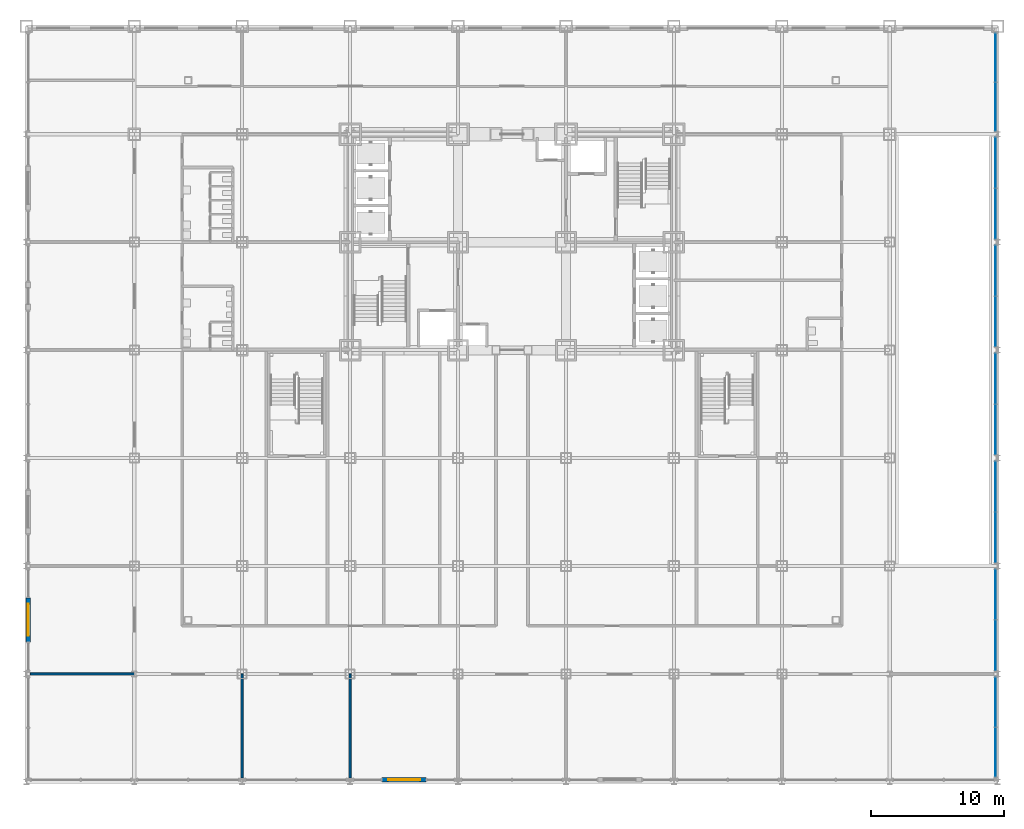
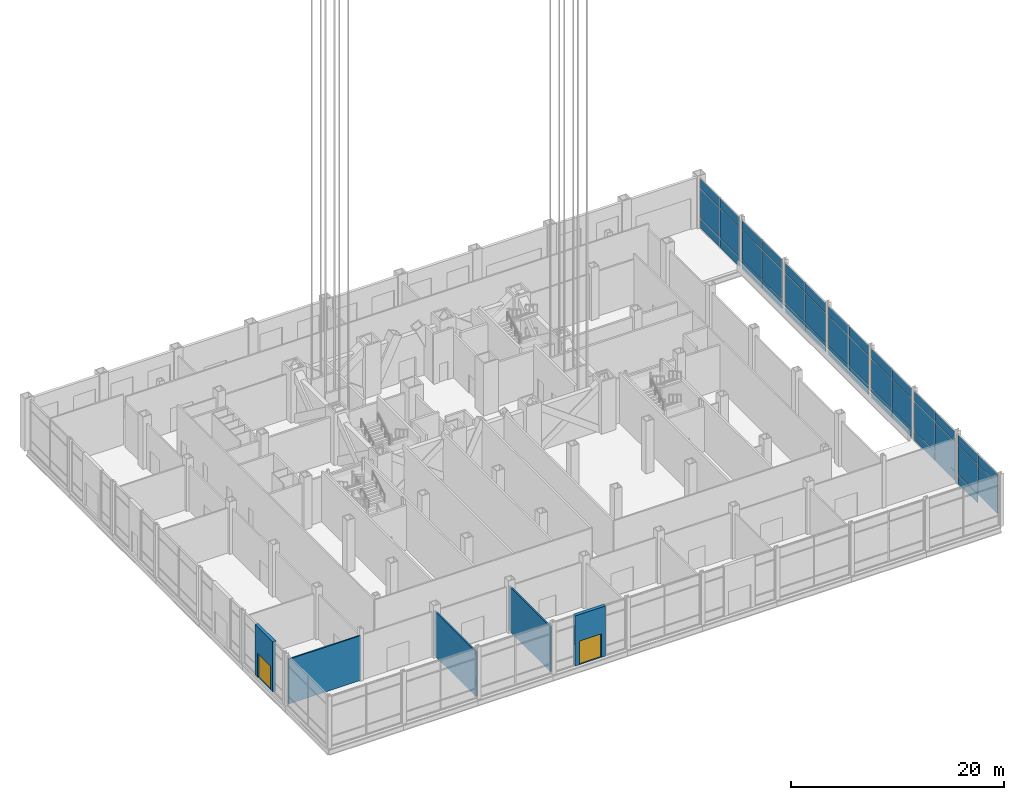
# One storey, part 21 of 35: 41 plates, 5 walls, 2 doors, 2 openings, 7 elements without a shape of their own.
"""IFC4 building model written with IfcOpenShell, lengths in metres."""

from ifc_helpers import new_model, si_unit, direction, frame, frame_2d, origin, origin_2d, place, context, subcontext, project, spatial, rectangle, extrude, material, layer, layer_set, type_object, element, fill, aggregate, save


model = new_model("IFC4")

# Units and contexts
model_context = context("Model", 3, precision=1e-05, world=origin(), true_north=direction((0.0, 1.0)))
body_context = subcontext(model_context, "Body", "Model", "MODEL_VIEW")
ifc_project = project(units=[si_unit("LENGTHUNIT", "METRE"), si_unit("AREAUNIT", "SQUARE_METRE"), si_unit("VOLUMEUNIT", "CUBIC_METRE"), si_unit("PLANEANGLEUNIT", "RADIAN"), si_unit("MASSUNIT", "GRAM", prefix="KILO")], contexts=[model_context])

# Site, building, storey
site_placement = place(None, origin())
site = spatial("IfcSite", under=ifc_project, at=site_placement, CompositionType="ELEMENT")
building_placement = place(site_placement, origin())
building = spatial("IfcBuilding", under=site, at=building_placement, Name="Kopane Lantern Tower", CompositionType="ELEMENT")
storey_placement = place(building_placement, origin())
storey = spatial("IfcBuildingStorey", under=building, at=storey_placement, Name="L00", CompositionType="ELEMENT", Elevation=0.0)

# Curtain wall, plates
ifc_material_1 = material(Name="Aluminium and clear glass", Category="aluminium")
curtain_wall_type = type_object("IfcCurtainWallType", Name="CURTAIN WALL CW1 PODIUM STOREFRONT", PredefinedType="USERDEFINED", material=ifc_material_1)
curtain_wall_1_placement = place(storey_placement, origin())
curtain_wall_1 = element("IfcCurtainWall", 1, at=curtain_wall_1_placement, inside=storey, type_object=curtain_wall_type, Name="Curtain wall CW1 E L00", ObjectType="CURTAIN WALL", PredefinedType="USERDEFINED")
ifc_material_2 = material(Name="Insulated clear glass unit", Category="glass")
ifc_layer_1 = layer(ifc_material_2, 0.031982421875)
ifc_layer_set_1 = layer_set([ifc_layer_1], Name="CURTAIN PANEL CW1-P 32")
plate_type = type_object("IfcPlateType", Name="CURTAIN PANEL CW1-P 32", PredefinedType="CURTAIN_PANEL", material=ifc_layer_set_1)
plate_1_placement = place(storey_placement, frame((64.64990234375, -5.8857421875, 1.13232421875), z_axis=(0.0, 0.0, 1.0), x_axis=(0.0, 1.0, 0.0)))
plate_1 = element("IfcPlate", 2, at=plate_1_placement, type_object=plate_type, Name="CW1 panel 1.2", PredefinedType="CURTAIN_PANEL", context=body_context, shape_type="SweptSolid", body=[
    extrude(rectangle(XDim=3.698486328125, YDim=0.031982421875, at=origin_2d()), origin(), (0.0, 0.0, 1.0), 3.385009765625),
])
plate_2_placement = place(storey_placement, frame((64.64990234375, -5.8857421875, 4.58251953125), z_axis=(0.0, 0.0, 1.0), x_axis=(0.0, 1.0, 0.0)))
plate_2 = element("IfcPlate", 3, at=plate_2_placement, type_object=plate_type, Name="CW1 panel 1.3", PredefinedType="CURTAIN_PANEL", context=body_context, shape_type="SweptSolid", body=[
    extrude(rectangle(XDim=3.698486328125, YDim=0.031982421875, at=origin_2d()), origin(), (0.0, 0.0, 1.0), 1.1025390625),
])
plate_3_placement = place(storey_placement, frame((64.64990234375, -2.122314453125, 0.06494140625), z_axis=(0.0, 0.0, 1.0), x_axis=(0.0, 1.0, 0.0)))
plate_3 = element("IfcPlate", 4, at=plate_3_placement, type_object=plate_type, Name="CW1 panel 2.1", PredefinedType="CURTAIN_PANEL", context=body_context, shape_type="SweptSolid", body=[
    extrude(rectangle(XDim=3.698486328125, YDim=0.031982421875, at=origin_2d()), origin(), (0.0, 0.0, 1.0), 1.00244140625),
])
plate_4_placement = place(storey_placement, frame((64.64990234375, -2.122314453125, 1.13232421875), z_axis=(0.0, 0.0, 1.0), x_axis=(0.0, 1.0, 0.0)))
plate_4 = element("IfcPlate", 5, at=plate_4_placement, type_object=plate_type, Name="CW1 panel 2.2", PredefinedType="CURTAIN_PANEL", context=body_context, shape_type="SweptSolid", body=[
    extrude(rectangle(XDim=3.698486328125, YDim=0.031982421875, at=origin_2d()), origin(), (0.0, 0.0, 1.0), 3.385009765625),
])
plate_5_placement = place(storey_placement, frame((64.64990234375, -2.122314453125, 4.58251953125), z_axis=(0.0, 0.0, 1.0), x_axis=(0.0, 1.0, 0.0)))
plate_5 = element("IfcPlate", 6, at=plate_5_placement, type_object=plate_type, Name="CW1 panel 2.3", PredefinedType="CURTAIN_PANEL", context=body_context, shape_type="SweptSolid", body=[
    extrude(rectangle(XDim=3.698486328125, YDim=0.031982421875, at=origin_2d()), origin(), (0.0, 0.0, 1.0), 1.1025390625),
])
aggregate(curtain_wall_1, [plate_1, plate_2, plate_3, plate_4, plate_5])

curtain_wall_2_placement = place(storey_placement, origin())
curtain_wall_2 = element("IfcCurtainWall", 7, at=curtain_wall_2_placement, inside=storey, type_object=curtain_wall_type, Name="Curtain wall CW1 E L00", ObjectType="CURTAIN WALL", PredefinedType="USERDEFINED")
plate_6_placement = place(storey_placement, frame((64.64990234375, 2.145263671875, 0.06494140625), z_axis=(0.0, 0.0, 1.0), x_axis=(0.0, 1.0, 0.0)))
plate_6 = element("IfcPlate", 8, at=plate_6_placement, type_object=plate_type, Name="CW1 panel 1.1", PredefinedType="CURTAIN_PANEL", context=body_context, shape_type="SweptSolid", body=[
    extrude(rectangle(XDim=3.744384765625, YDim=0.031982421875, at=origin_2d()), origin(), (0.0, 0.0, 1.0), 1.00244140625),
])
plate_7_placement = place(storey_placement, frame((64.64990234375, 2.145263671875, 1.13232421875), z_axis=(0.0, 0.0, 1.0), x_axis=(0.0, 1.0, 0.0)))
plate_7 = element("IfcPlate", 9, at=plate_7_placement, type_object=plate_type, Name="CW1 panel 1.2", PredefinedType="CURTAIN_PANEL", context=body_context, shape_type="SweptSolid", body=[
    extrude(rectangle(XDim=3.744384765625, YDim=0.031982421875, at=origin_2d()), origin(), (0.0, 0.0, 1.0), 3.385009765625),
])
plate_8_placement = place(storey_placement, frame((64.64990234375, 2.145263671875, 4.58251953125), z_axis=(0.0, 0.0, 1.0), x_axis=(0.0, 1.0, 0.0)))
plate_8 = element("IfcPlate", 10, at=plate_8_placement, type_object=plate_type, Name="CW1 panel 1.3", PredefinedType="CURTAIN_PANEL", context=body_context, shape_type="SweptSolid", body=[
    extrude(rectangle(XDim=3.744384765625, YDim=0.031982421875, at=origin_2d()), origin(), (0.0, 0.0, 1.0), 1.1025390625),
])
plate_9_placement = place(storey_placement, frame((64.64990234375, 5.95458984375, 0.06494140625), z_axis=(0.0, 0.0, 1.0), x_axis=(0.0, 1.0, 0.0)))
plate_9 = element("IfcPlate", 11, at=plate_9_placement, type_object=plate_type, Name="CW1 panel 2.1", PredefinedType="CURTAIN_PANEL", context=body_context, shape_type="SweptSolid", body=[
    extrude(rectangle(XDim=3.744384765625, YDim=0.031982421875, at=origin_2d()), origin(), (0.0, 0.0, 1.0), 1.00244140625),
])
plate_10_placement = place(storey_placement, frame((64.64990234375, 5.95458984375, 1.13232421875), z_axis=(0.0, 0.0, 1.0), x_axis=(0.0, 1.0, 0.0)))
plate_10 = element("IfcPlate", 12, at=plate_10_placement, type_object=plate_type, Name="CW1 panel 2.2", PredefinedType="CURTAIN_PANEL", context=body_context, shape_type="SweptSolid", body=[
    extrude(rectangle(XDim=3.744384765625, YDim=0.031982421875, at=origin_2d()), origin(), (0.0, 0.0, 1.0), 3.385009765625),
])
plate_11_placement = place(storey_placement, frame((64.64990234375, 5.95458984375, 4.58251953125), z_axis=(0.0, 0.0, 1.0), x_axis=(0.0, 1.0, 0.0)))
plate_11 = element("IfcPlate", 13, at=plate_11_placement, type_object=plate_type, Name="CW1 panel 2.3", PredefinedType="CURTAIN_PANEL", context=body_context, shape_type="SweptSolid", body=[
    extrude(rectangle(XDim=3.744384765625, YDim=0.031982421875, at=origin_2d()), origin(), (0.0, 0.0, 1.0), 1.1025390625),
])
aggregate(curtain_wall_2, [plate_6, plate_7, plate_8, plate_9, plate_10, plate_11])

curtain_wall_3_placement = place(storey_placement, origin())
curtain_wall_3 = element("IfcCurtainWall", 14, at=curtain_wall_3_placement, inside=storey, type_object=curtain_wall_type, Name="Curtain wall CW1 E L00", ObjectType="CURTAIN WALL", PredefinedType="USERDEFINED")
plate_12_placement = place(storey_placement, frame((64.64990234375, 10.245361328125, 0.06494140625), z_axis=(0.0, 0.0, 1.0), x_axis=(0.0, 1.0, 0.0)))
plate_12 = element("IfcPlate", 15, at=plate_12_placement, type_object=plate_type, Name="CW1 panel 1.1", PredefinedType="CURTAIN_PANEL", context=body_context, shape_type="SweptSolid", body=[
    extrude(rectangle(XDim=3.744384765625, YDim=0.031982421875, at=origin_2d()), origin(), (0.0, 0.0, 1.0), 1.00244140625),
])
plate_13_placement = place(storey_placement, frame((64.64990234375, 10.245361328125, 1.13232421875), z_axis=(0.0, 0.0, 1.0), x_axis=(0.0, 1.0, 0.0)))
plate_13 = element("IfcPlate", 16, at=plate_13_placement, type_object=plate_type, Name="CW1 panel 1.2", PredefinedType="CURTAIN_PANEL", context=body_context, shape_type="SweptSolid", body=[
    extrude(rectangle(XDim=3.744384765625, YDim=0.031982421875, at=origin_2d()), origin(), (0.0, 0.0, 1.0), 3.385009765625),
])
plate_14_placement = place(storey_placement, frame((64.64990234375, 10.245361328125, 4.58251953125), z_axis=(0.0, 0.0, 1.0), x_axis=(0.0, 1.0, 0.0)))
plate_14 = element("IfcPlate", 17, at=plate_14_placement, type_object=plate_type, Name="CW1 panel 1.3", PredefinedType="CURTAIN_PANEL", context=body_context, shape_type="SweptSolid", body=[
    extrude(rectangle(XDim=3.744384765625, YDim=0.031982421875, at=origin_2d()), origin(), (0.0, 0.0, 1.0), 1.1025390625),
])
plate_15_placement = place(storey_placement, frame((64.64990234375, 14.0546875, 0.06494140625), z_axis=(0.0, 0.0, 1.0), x_axis=(0.0, 1.0, 0.0)))
plate_15 = element("IfcPlate", 18, at=plate_15_placement, type_object=plate_type, Name="CW1 panel 2.1", PredefinedType="CURTAIN_PANEL", context=body_context, shape_type="SweptSolid", body=[
    extrude(rectangle(XDim=3.744384765625, YDim=0.031982421875, at=origin_2d()), origin(), (0.0, 0.0, 1.0), 1.00244140625),
])
plate_16_placement = place(storey_placement, frame((64.64990234375, 14.0546875, 1.13232421875), z_axis=(0.0, 0.0, 1.0), x_axis=(0.0, 1.0, 0.0)))
plate_16 = element("IfcPlate", 19, at=plate_16_placement, type_object=plate_type, Name="CW1 panel 2.2", PredefinedType="CURTAIN_PANEL", context=body_context, shape_type="SweptSolid", body=[
    extrude(rectangle(XDim=3.744384765625, YDim=0.031982421875, at=origin_2d()), origin(), (0.0, 0.0, 1.0), 3.385009765625),
])
plate_17_placement = place(storey_placement, frame((64.64990234375, 14.0546875, 4.58251953125), z_axis=(0.0, 0.0, 1.0), x_axis=(0.0, 1.0, 0.0)))
plate_17 = element("IfcPlate", 20, at=plate_17_placement, type_object=plate_type, Name="CW1 panel 2.3", PredefinedType="CURTAIN_PANEL", context=body_context, shape_type="SweptSolid", body=[
    extrude(rectangle(XDim=3.744384765625, YDim=0.031982421875, at=origin_2d()), origin(), (0.0, 0.0, 1.0), 1.1025390625),
])
aggregate(curtain_wall_3, [plate_12, plate_13, plate_14, plate_15, plate_16, plate_17])

curtain_wall_4_placement = place(storey_placement, origin())
curtain_wall_4 = element("IfcCurtainWall", 21, at=curtain_wall_4_placement, inside=storey, type_object=curtain_wall_type, Name="Curtain wall CW1 E L00", ObjectType="CURTAIN WALL", PredefinedType="USERDEFINED")
plate_18_placement = place(storey_placement, frame((64.64990234375, 18.345458984375, 0.06494140625), z_axis=(0.0, 0.0, 1.0), x_axis=(0.0, 1.0, 0.0)))
plate_18 = element("IfcPlate", 22, at=plate_18_placement, type_object=plate_type, Name="CW1 panel 1.1", PredefinedType="CURTAIN_PANEL", context=body_context, shape_type="SweptSolid", body=[
    extrude(rectangle(XDim=3.744384765625, YDim=0.031982421875, at=origin_2d()), origin(), (0.0, 0.0, 1.0), 1.00244140625),
])
plate_19_placement = place(storey_placement, frame((64.64990234375, 18.345458984375, 1.13232421875), z_axis=(0.0, 0.0, 1.0), x_axis=(0.0, 1.0, 0.0)))
plate_19 = element("IfcPlate", 23, at=plate_19_placement, type_object=plate_type, Name="CW1 panel 1.2", PredefinedType="CURTAIN_PANEL", context=body_context, shape_type="SweptSolid", body=[
    extrude(rectangle(XDim=3.744384765625, YDim=0.031982421875, at=origin_2d()), origin(), (0.0, 0.0, 1.0), 3.385009765625),
])
plate_20_placement = place(storey_placement, frame((64.64990234375, 18.345458984375, 4.58251953125), z_axis=(0.0, 0.0, 1.0), x_axis=(0.0, 1.0, 0.0)))
plate_20 = element("IfcPlate", 24, at=plate_20_placement, type_object=plate_type, Name="CW1 panel 1.3", PredefinedType="CURTAIN_PANEL", context=body_context, shape_type="SweptSolid", body=[
    extrude(rectangle(XDim=3.744384765625, YDim=0.031982421875, at=origin_2d()), origin(), (0.0, 0.0, 1.0), 1.1025390625),
])
plate_21_placement = place(storey_placement, frame((64.64990234375, 22.154541015625, 0.06494140625), z_axis=(0.0, 0.0, 1.0), x_axis=(0.0, 1.0, 0.0)))
plate_21 = element("IfcPlate", 25, at=plate_21_placement, type_object=plate_type, Name="CW1 panel 2.1", PredefinedType="CURTAIN_PANEL", context=body_context, shape_type="SweptSolid", body=[
    extrude(rectangle(XDim=3.744384765625, YDim=0.031982421875, at=origin_2d()), origin(), (0.0, 0.0, 1.0), 1.00244140625),
])
plate_22_placement = place(storey_placement, frame((64.64990234375, 22.154541015625, 1.13232421875), z_axis=(0.0, 0.0, 1.0), x_axis=(0.0, 1.0, 0.0)))
plate_22 = element("IfcPlate", 26, at=plate_22_placement, type_object=plate_type, Name="CW1 panel 2.2", PredefinedType="CURTAIN_PANEL", context=body_context, shape_type="SweptSolid", body=[
    extrude(rectangle(XDim=3.744384765625, YDim=0.031982421875, at=origin_2d()), origin(), (0.0, 0.0, 1.0), 3.385009765625),
])
plate_23_placement = place(storey_placement, frame((64.64990234375, 22.154541015625, 4.58251953125), z_axis=(0.0, 0.0, 1.0), x_axis=(0.0, 1.0, 0.0)))
plate_23 = element("IfcPlate", 27, at=plate_23_placement, type_object=plate_type, Name="CW1 panel 2.3", PredefinedType="CURTAIN_PANEL", context=body_context, shape_type="SweptSolid", body=[
    extrude(rectangle(XDim=3.744384765625, YDim=0.031982421875, at=origin_2d()), origin(), (0.0, 0.0, 1.0), 1.1025390625),
])
aggregate(curtain_wall_4, [plate_18, plate_19, plate_20, plate_21, plate_22, plate_23])

curtain_wall_5_placement = place(storey_placement, origin())
curtain_wall_5 = element("IfcCurtainWall", 28, at=curtain_wall_5_placement, inside=storey, type_object=curtain_wall_type, Name="Curtain wall CW1 E L00", ObjectType="CURTAIN WALL", PredefinedType="USERDEFINED")
plate_24_placement = place(storey_placement, frame((64.64990234375, 26.4453125, 0.06494140625), z_axis=(0.0, 0.0, 1.0), x_axis=(0.0, 1.0, 0.0)))
plate_24 = element("IfcPlate", 29, at=plate_24_placement, type_object=plate_type, Name="CW1 panel 1.1", PredefinedType="CURTAIN_PANEL", context=body_context, shape_type="SweptSolid", body=[
    extrude(rectangle(XDim=3.744384765625, YDim=0.031982421875, at=origin_2d()), origin(), (0.0, 0.0, 1.0), 1.00244140625),
])
plate_25_placement = place(storey_placement, frame((64.64990234375, 26.4453125, 1.13232421875), z_axis=(0.0, 0.0, 1.0), x_axis=(0.0, 1.0, 0.0)))
plate_25 = element("IfcPlate", 30, at=plate_25_placement, type_object=plate_type, Name="CW1 panel 1.2", PredefinedType="CURTAIN_PANEL", context=body_context, shape_type="SweptSolid", body=[
    extrude(rectangle(XDim=3.744384765625, YDim=0.031982421875, at=origin_2d()), origin(), (0.0, 0.0, 1.0), 3.385009765625),
])
plate_26_placement = place(storey_placement, frame((64.64990234375, 26.4453125, 4.58251953125), z_axis=(0.0, 0.0, 1.0), x_axis=(0.0, 1.0, 0.0)))
plate_26 = element("IfcPlate", 31, at=plate_26_placement, type_object=plate_type, Name="CW1 panel 1.3", PredefinedType="CURTAIN_PANEL", context=body_context, shape_type="SweptSolid", body=[
    extrude(rectangle(XDim=3.744384765625, YDim=0.031982421875, at=origin_2d()), origin(), (0.0, 0.0, 1.0), 1.1025390625),
])
plate_27_placement = place(storey_placement, frame((64.64990234375, 30.254638671875, 0.06494140625), z_axis=(0.0, 0.0, 1.0), x_axis=(0.0, 1.0, 0.0)))
plate_27 = element("IfcPlate", 32, at=plate_27_placement, type_object=plate_type, Name="CW1 panel 2.1", PredefinedType="CURTAIN_PANEL", context=body_context, shape_type="SweptSolid", body=[
    extrude(rectangle(XDim=3.744384765625, YDim=0.031982421875, at=origin_2d()), origin(), (0.0, 0.0, 1.0), 1.00244140625),
])
plate_28_placement = place(storey_placement, frame((64.64990234375, 30.254638671875, 1.13232421875), z_axis=(0.0, 0.0, 1.0), x_axis=(0.0, 1.0, 0.0)))
plate_28 = element("IfcPlate", 33, at=plate_28_placement, type_object=plate_type, Name="CW1 panel 2.2", PredefinedType="CURTAIN_PANEL", context=body_context, shape_type="SweptSolid", body=[
    extrude(rectangle(XDim=3.744384765625, YDim=0.031982421875, at=origin_2d()), origin(), (0.0, 0.0, 1.0), 3.385009765625),
])
plate_29_placement = place(storey_placement, frame((64.64990234375, 30.254638671875, 4.58251953125), z_axis=(0.0, 0.0, 1.0), x_axis=(0.0, 1.0, 0.0)))
plate_29 = element("IfcPlate", 34, at=plate_29_placement, type_object=plate_type, Name="CW1 panel 2.3", PredefinedType="CURTAIN_PANEL", context=body_context, shape_type="SweptSolid", body=[
    extrude(rectangle(XDim=3.744384765625, YDim=0.031982421875, at=origin_2d()), origin(), (0.0, 0.0, 1.0), 1.1025390625),
])
aggregate(curtain_wall_5, [plate_24, plate_25, plate_26, plate_27, plate_28, plate_29])

curtain_wall_6_placement = place(storey_placement, origin())
curtain_wall_6 = element("IfcCurtainWall", 35, at=curtain_wall_6_placement, inside=storey, type_object=curtain_wall_type, Name="Curtain wall CW1 E L00", ObjectType="CURTAIN WALL", PredefinedType="USERDEFINED")
plate_30_placement = place(storey_placement, frame((64.64990234375, 34.54541015625, 0.06494140625), z_axis=(0.0, 0.0, 1.0), x_axis=(0.0, 1.0, 0.0)))
plate_30 = element("IfcPlate", 36, at=plate_30_placement, type_object=plate_type, Name="CW1 panel 1.1", PredefinedType="CURTAIN_PANEL", context=body_context, shape_type="SweptSolid", body=[
    extrude(rectangle(XDim=3.744384765625, YDim=0.031982421875, at=origin_2d()), origin(), (0.0, 0.0, 1.0), 1.00244140625),
])
plate_31_placement = place(storey_placement, frame((64.64990234375, 34.54541015625, 1.13232421875), z_axis=(0.0, 0.0, 1.0), x_axis=(0.0, 1.0, 0.0)))
plate_31 = element("IfcPlate", 37, at=plate_31_placement, type_object=plate_type, Name="CW1 panel 1.2", PredefinedType="CURTAIN_PANEL", context=body_context, shape_type="SweptSolid", body=[
    extrude(rectangle(XDim=3.744384765625, YDim=0.031982421875, at=origin_2d()), origin(), (0.0, 0.0, 1.0), 3.385009765625),
])
plate_32_placement = place(storey_placement, frame((64.64990234375, 34.54541015625, 4.58251953125), z_axis=(0.0, 0.0, 1.0), x_axis=(0.0, 1.0, 0.0)))
plate_32 = element("IfcPlate", 38, at=plate_32_placement, type_object=plate_type, Name="CW1 panel 1.3", PredefinedType="CURTAIN_PANEL", context=body_context, shape_type="SweptSolid", body=[
    extrude(rectangle(XDim=3.744384765625, YDim=0.031982421875, at=origin_2d()), origin(), (0.0, 0.0, 1.0), 1.1025390625),
])
plate_33_placement = place(storey_placement, frame((64.64990234375, 38.354736328125, 0.06494140625), z_axis=(0.0, 0.0, 1.0), x_axis=(0.0, 1.0, 0.0)))
plate_33 = element("IfcPlate", 39, at=plate_33_placement, type_object=plate_type, Name="CW1 panel 2.1", PredefinedType="CURTAIN_PANEL", context=body_context, shape_type="SweptSolid", body=[
    extrude(rectangle(XDim=3.744384765625, YDim=0.031982421875, at=origin_2d()), origin(), (0.0, 0.0, 1.0), 1.00244140625),
])
plate_34_placement = place(storey_placement, frame((64.64990234375, 38.354736328125, 1.13232421875), z_axis=(0.0, 0.0, 1.0), x_axis=(0.0, 1.0, 0.0)))
plate_34 = element("IfcPlate", 40, at=plate_34_placement, type_object=plate_type, Name="CW1 panel 2.2", PredefinedType="CURTAIN_PANEL", context=body_context, shape_type="SweptSolid", body=[
    extrude(rectangle(XDim=3.744384765625, YDim=0.031982421875, at=origin_2d()), origin(), (0.0, 0.0, 1.0), 3.385009765625),
])
plate_35_placement = place(storey_placement, frame((64.64990234375, 38.354736328125, 4.58251953125), z_axis=(0.0, 0.0, 1.0), x_axis=(0.0, 1.0, 0.0)))
plate_35 = element("IfcPlate", 41, at=plate_35_placement, type_object=plate_type, Name="CW1 panel 2.3", PredefinedType="CURTAIN_PANEL", context=body_context, shape_type="SweptSolid", body=[
    extrude(rectangle(XDim=3.744384765625, YDim=0.031982421875, at=origin_2d()), origin(), (0.0, 0.0, 1.0), 1.1025390625),
])
aggregate(curtain_wall_6, [plate_30, plate_31, plate_32, plate_33, plate_34, plate_35])

curtain_wall_7_placement = place(storey_placement, origin())
curtain_wall_7 = element("IfcCurtainWall", 42, at=curtain_wall_7_placement, inside=storey, type_object=curtain_wall_type, Name="Curtain wall CW1 E L00", ObjectType="CURTAIN WALL", PredefinedType="USERDEFINED")
plate_36_placement = place(storey_placement, frame((64.64990234375, 42.577392578125, 0.06494140625), z_axis=(0.0, 0.0, 1.0), x_axis=(0.0, 1.0, 0.0)))
plate_36 = element("IfcPlate", 43, at=plate_36_placement, type_object=plate_type, Name="CW1 panel 1.1", PredefinedType="CURTAIN_PANEL", context=body_context, shape_type="SweptSolid", body=[
    extrude(rectangle(XDim=3.6083984375, YDim=0.031982421875, at=origin_2d()), origin(), (0.0, 0.0, 1.0), 1.00244140625),
])
plate_37_placement = place(storey_placement, frame((64.64990234375, 42.577392578125, 1.13232421875), z_axis=(0.0, 0.0, 1.0), x_axis=(0.0, 1.0, 0.0)))
plate_37 = element("IfcPlate", 44, at=plate_37_placement, type_object=plate_type, Name="CW1 panel 1.2", PredefinedType="CURTAIN_PANEL", context=body_context, shape_type="SweptSolid", body=[
    extrude(rectangle(XDim=3.6083984375, YDim=0.031982421875, at=origin_2d()), origin(), (0.0, 0.0, 1.0), 3.385009765625),
])
plate_38_placement = place(storey_placement, frame((64.64990234375, 42.577392578125, 4.58251953125), z_axis=(0.0, 0.0, 1.0), x_axis=(0.0, 1.0, 0.0)))
plate_38 = element("IfcPlate", 45, at=plate_38_placement, type_object=plate_type, Name="CW1 panel 1.3", PredefinedType="CURTAIN_PANEL", context=body_context, shape_type="SweptSolid", body=[
    extrude(rectangle(XDim=3.6083984375, YDim=0.031982421875, at=origin_2d()), origin(), (0.0, 0.0, 1.0), 1.1025390625),
])
plate_39_placement = place(storey_placement, frame((64.64990234375, 46.250732421875, 0.06494140625), z_axis=(0.0, 0.0, 1.0), x_axis=(0.0, 1.0, 0.0)))
plate_39 = element("IfcPlate", 46, at=plate_39_placement, type_object=plate_type, Name="CW1 panel 2.1", PredefinedType="CURTAIN_PANEL", context=body_context, shape_type="SweptSolid", body=[
    extrude(rectangle(XDim=3.6083984375, YDim=0.031982421875, at=origin_2d()), origin(), (0.0, 0.0, 1.0), 1.00244140625),
])
plate_40_placement = place(storey_placement, frame((64.64990234375, 46.250732421875, 1.13232421875), z_axis=(0.0, 0.0, 1.0), x_axis=(0.0, 1.0, 0.0)))
plate_40 = element("IfcPlate", 47, at=plate_40_placement, type_object=plate_type, Name="CW1 panel 2.2", PredefinedType="CURTAIN_PANEL", context=body_context, shape_type="SweptSolid", body=[
    extrude(rectangle(XDim=3.6083984375, YDim=0.031982421875, at=origin_2d()), origin(), (0.0, 0.0, 1.0), 3.385009765625),
])
plate_41_placement = place(storey_placement, frame((64.64990234375, 46.250732421875, 4.58251953125), z_axis=(0.0, 0.0, 1.0), x_axis=(0.0, 1.0, 0.0)))
plate_41 = element("IfcPlate", 48, at=plate_41_placement, type_object=plate_type, Name="CW1 panel 2.3", PredefinedType="CURTAIN_PANEL", context=body_context, shape_type="SweptSolid", body=[
    extrude(rectangle(XDim=3.6083984375, YDim=0.031982421875, at=origin_2d()), origin(), (0.0, 0.0, 1.0), 1.1025390625),
])
aggregate(curtain_wall_7, [plate_36, plate_37, plate_38, plate_39, plate_40, plate_41])

# Walls
ifc_material_3 = material(Name="Gypsum board on steel studs", Category="steel")
ifc_layer_2 = layer(ifc_material_3, 0.14990234375)
ifc_layer_set_2 = layer_set([ifc_layer_2], Name="DEMISING WALL 150 EI 60")
wall_type_1 = type_object("IfcWallType", Name="DEMISING WALL 150 EI 60", PredefinedType="PARTITIONING", material=ifc_layer_set_2)
for number, where, z_axis, x_axis, name in (
    (49, (16.199951171875, 0.0, 0.0), (0.0, 0.0, 1.0), (0.0, -1.0, 0.0), "Demising Wall 150 Ei 60 L00"),
    (50, (-7.800048828125, 0.0, 0.0), (0.0, 0.0, 1.0), (1.0, 0.0, 0.0), "Demising Wall 150 Ei 60 L00"),
    (51, (8.10009765625, 0.0, 0.0), (0.0, 0.0, 1.0), (0.0, -1.0, 0.0), "Demising Wall 150 Ei 60 L00"),
):
    element("IfcWall", number, at=place(storey_placement, frame(where, z_axis=z_axis, x_axis=x_axis)), inside=storey, type_object=wall_type_1, Name=name, PredefinedType="PARTITIONING", context=body_context, shape_type="SweptSolid", body=[
        extrude(rectangle(XDim=7.800048828125, YDim=0.14990234375, at=frame_2d((3.89990234375, 0.0))), origin(), (0.0, 0.0, 1.0), 5.1376953125),
    ])

# Wall, opening, door
ifc_material_4 = material(Name="Terracotta rainscreen on light steel framing", Category="masonry")
ifc_layer_3 = layer(ifc_material_4, 0.35009765625)
ifc_layer_set_3 = layer_set([ifc_layer_3], Name="ENTRANCE PIER WALL EW2 300 TERRACOTTA")
wall_type_2 = type_object("IfcWallType", Name="ENTRANCE PIER WALL EW2 300 TERRACOTTA", PredefinedType="SOLIDWALL", material=ifc_layer_set_3)
wall_1_placement = place(storey_placement, frame((18.60009765625, -7.949951171875, 0.0), z_axis=(0.0, 0.0, 1.0), x_axis=(1.0, 0.0, 0.0)))
wall_1 = element("IfcWall", 52, at=wall_1_placement, inside=storey, type_object=wall_type_2, Name="Entrance wall S L00", PredefinedType="SOLIDWALL", context=body_context, shape_type="SweptSolid", body=[
    extrude(rectangle(XDim=3.2998046875, YDim=0.35009765625, at=frame_2d((1.64990234375, 0.0))), origin(), (0.0, 0.0, 1.0), 5.75),
])
opening_1_placement = place(wall_1_placement, frame((0.449951171875, 0.0, 0.0)))
opening_1 = element("IfcOpeningElement", 53, at=opening_1_placement, cuts=wall_1, Name="Opening L00-E01", PredefinedType="OPENING", context=body_context, shape_type="SweptSolid", body=[
    extrude(rectangle(XDim=2.39990234375, YDim=2.699951171875, at=frame_2d((1.199951171875, 1.35009765625))), frame((0.0, 0.18505859375, 0.0), z_axis=(0.0, -1.0, 0.0), x_axis=(1.0, 0.0, 0.0)), (0.0, 0.0, 1.0), 0.3701171875),
])
ifc_material_5 = material(Name="Aluminium and clear glass door set", Category="aluminium")
door_type = type_object("IfcDoorType", Name="ENTRANCE DOOR ED2427 2400x2700", OperationType="DOUBLE_DOOR_SINGLE_SWING", PredefinedType="DOOR", material=ifc_material_5)
door_1_placement = place(opening_1_placement, origin())
door_1 = element("IfcDoor", 54, at=door_1_placement, inside=storey, type_object=door_type, Name="Door L00-E01", OperationType="DOUBLE_DOOR_SINGLE_SWING", OverallHeight=2.699951171875, OverallWidth=2.39990234375, PredefinedType="DOOR", context=body_context, shape_type="SweptSolid", body=[
    extrude(rectangle(XDim=2.39990234375, YDim=2.699951171875, at=frame_2d((1.199951171875, 1.35009765625))), frame((0.0, 0.02490234375, 0.0), z_axis=(0.0, -1.0, 0.0), x_axis=(1.0, 0.0, 0.0)), (0.0, 0.0, 1.0), 0.050048828125),
])
fill(opening_1, door_1)

wall_2_placement = place(storey_placement, frame((-7.949951171875, 5.699951171875, 0.0), z_axis=(0.0, 0.0, 1.0), x_axis=(0.0, -1.0, 0.0)))
wall_2 = element("IfcWall", 55, at=wall_2_placement, inside=storey, type_object=wall_type_2, Name="Entrance wall W L00", PredefinedType="SOLIDWALL", context=body_context, shape_type="SweptSolid", body=[
    extrude(rectangle(XDim=3.300048828125, YDim=0.35009765625, at=frame_2d((1.64990234375, 0.0))), origin(), (0.0, 0.0, 1.0), 5.75),
])
opening_2_placement = place(wall_2_placement, frame((0.449951171875, 0.0, 0.0)))
opening_2 = element("IfcOpeningElement", 56, at=opening_2_placement, cuts=wall_2, Name="Opening L00-E03", PredefinedType="OPENING", context=body_context, shape_type="SweptSolid", body=[
    extrude(rectangle(XDim=2.39990234375, YDim=2.699951171875, at=frame_2d((1.199951171875, 1.35009765625))), frame((0.0, 0.18505859375, 0.0), z_axis=(0.0, -1.0, 0.0), x_axis=(1.0, 0.0, 0.0)), (0.0, 0.0, 1.0), 0.3701171875),
])
door_2_placement = place(opening_2_placement, origin())
door_2 = element("IfcDoor", 57, at=door_2_placement, inside=storey, type_object=door_type, Name="Door L00-E03", OperationType="DOUBLE_DOOR_SINGLE_SWING", OverallHeight=2.699951171875, OverallWidth=2.39990234375, PredefinedType="DOOR", context=body_context, shape_type="SweptSolid", body=[
    extrude(rectangle(XDim=2.39990234375, YDim=2.699951171875, at=frame_2d((1.199951171875, 1.35009765625))), frame((0.0, 0.02490234375, 0.0), z_axis=(0.0, -1.0, 0.0), x_axis=(1.0, 0.0, 0.0)), (0.0, 0.0, 1.0), 0.050048828125),
])
fill(opening_2, door_2)

save(model, "model.ifc")
